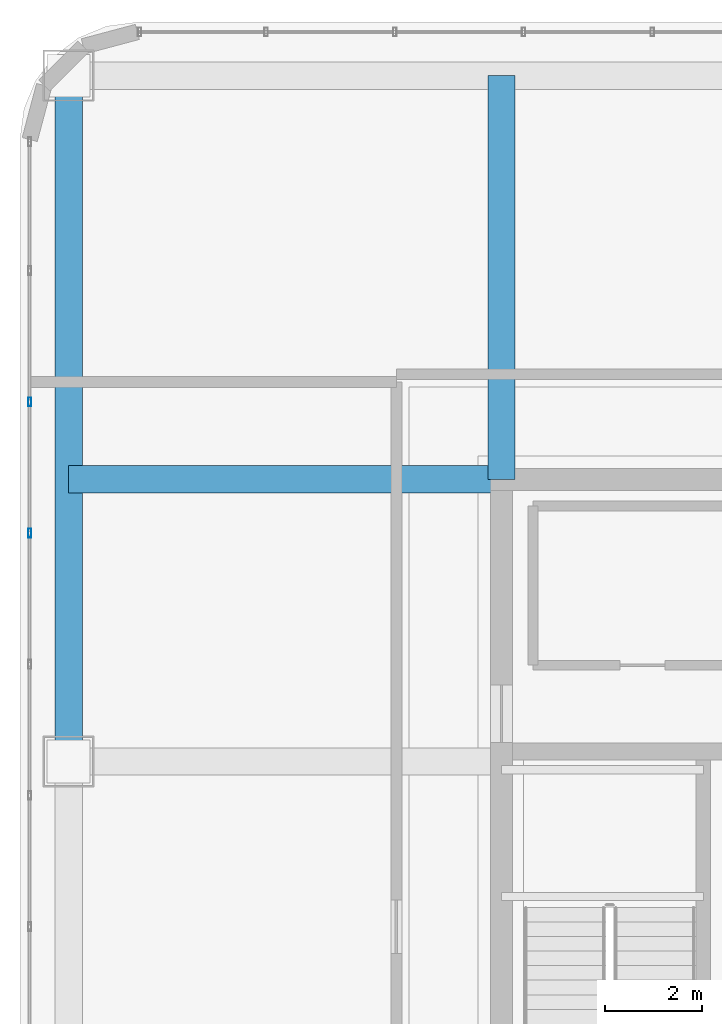
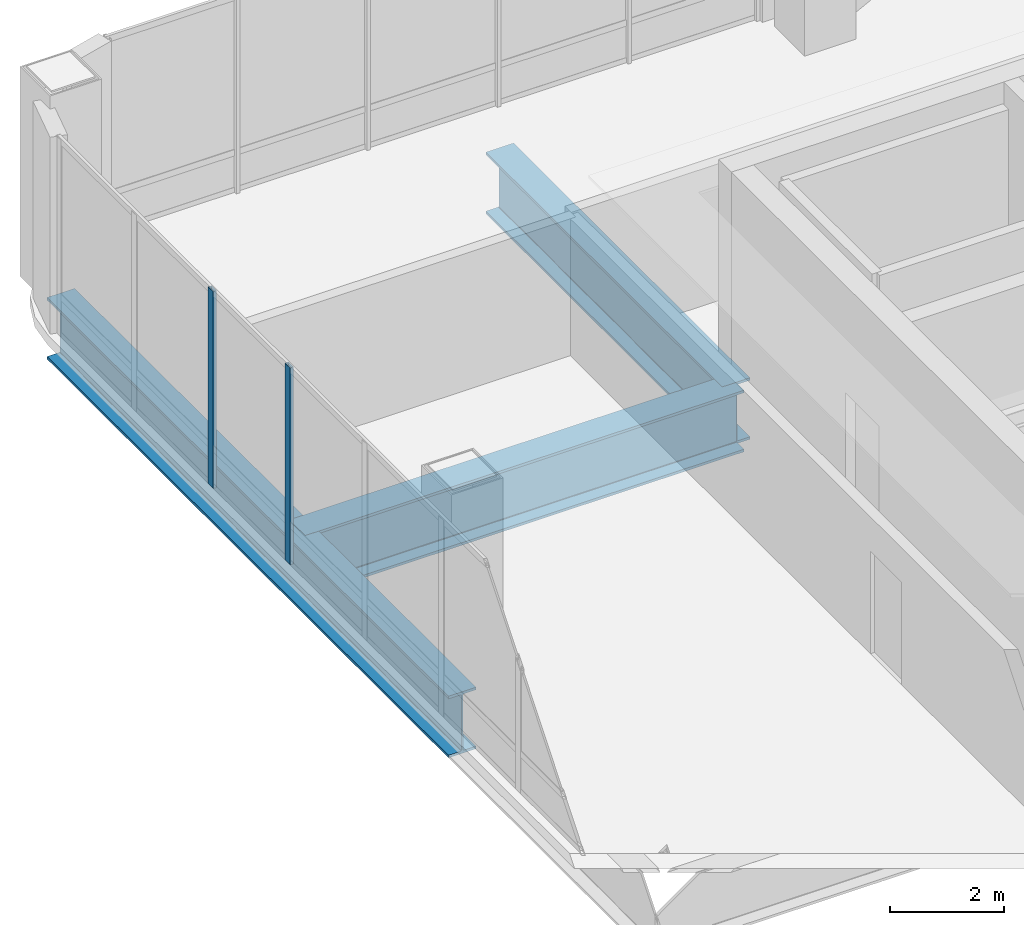
# One storey, part 12 of 33: 3 beams, 2 members, 1 element without a shape of its own.
"""IFC4 building model written with IfcOpenShell, lengths in metres."""

from ifc_helpers import new_model, si_unit, direction, frame, origin, origin_2d, place, context, subcontext, project, spatial, hollow_rectangle, i_section, extrude, material, material_profile, profile_set, type_object, element, aggregate, save


model = new_model("IFC4")

# Units and contexts
model_context = context("Model", 3, precision=1e-05, world=origin(), true_north=direction((0.0, 1.0)))
body_context = subcontext(model_context, "Body", "Model", "MODEL_VIEW")
ifc_project = project(units=[si_unit("LENGTHUNIT", "METRE"), si_unit("AREAUNIT", "SQUARE_METRE"), si_unit("VOLUMEUNIT", "CUBIC_METRE"), si_unit("PLANEANGLEUNIT", "RADIAN"), si_unit("MASSUNIT", "GRAM", prefix="KILO")], contexts=[model_context])

# Site, building, storey
site_placement = place(None, origin())
site = spatial("IfcSite", under=ifc_project, at=site_placement, CompositionType="ELEMENT")
building_placement = place(site_placement, origin())
building = spatial("IfcBuilding", under=site, at=building_placement, Name="Punatoya Terracotta Tower", CompositionType="ELEMENT")
storey_placement = place(building_placement, frame((0.0, 0.0, 348.300048828125)))
storey = spatial("IfcBuildingStorey", under=building, at=storey_placement, Name="L82", CompositionType="ELEMENT", Elevation=348.300048828125)

# Beams
ifc_material_1 = material(Name="Steel S460", Category="steel")
ifc_material_profile_1 = material_profile(ifc_material_1, i_section(OverallWidth=0.56005859375, OverallDepth=1.320068359375, WebThickness=0.035888671875, FlangeThickness=0.054931640625, FilletRadius=0.01806640625, at=origin_2d()))
ifc_profile_set_1 = profile_set([ifc_material_profile_1], Name="Steel S460")
beam_type = type_object("IfcBeamType", Name="BM-TG-BLK", PredefinedType="BEAM", material=ifc_profile_set_1)
beam_1_placement = place(storey_placement, frame((-19.10009765625, 3.39990234375, -0.880126953125), z_axis=(0.0, 1.0, 0.0), x_axis=(-1.0, 0.0, 0.0)))
element("IfcBeam", 1, at=beam_1_placement, inside=storey, type_object=beam_type, Name="BM-L82-RG-W3", PredefinedType="BEAM", context=body_context, shape_type="SweptSolid", body=[
    extrude(i_section(OverallWidth=0.56005859375, OverallDepth=1.320068359375, WebThickness=0.035888671875, FlangeThickness=0.054931640625, FilletRadius=0.01806640625, at=origin_2d()), origin(), (0.0, 0.0, 1.0), 14.10009765625),
])
beam_2_placement = place(storey_placement, frame((-19.10009765625, 9.199951171875, -0.880126953125), z_axis=(1.0, 0.0, 0.0), x_axis=(0.0, 1.0, 0.0)))
element("IfcBeam", 2, at=beam_2_placement, inside=storey, type_object=beam_type, Name="BM-L82-PR-WN", PredefinedType="BEAM", context=body_context, shape_type="SweptSolid", body=[
    extrude(i_section(OverallWidth=0.56005859375, OverallDepth=1.320068359375, WebThickness=0.035888671875, FlangeThickness=0.054931640625, FilletRadius=0.01806640625, at=origin_2d()), origin(), (0.0, 0.0, 1.0), 8.900146484375),
])
beam_3_placement = place(storey_placement, frame((-10.199951171875, 9.199951171875, -0.880126953125), z_axis=(0.0, 1.0, 0.0), x_axis=(-1.0, 0.0, 0.0)))
element("IfcBeam", 3, at=beam_3_placement, inside=storey, type_object=beam_type, Name="BM-L82-PR-N1", PredefinedType="BEAM", context=body_context, shape_type="SweptSolid", body=[
    extrude(i_section(OverallWidth=0.56005859375, OverallDepth=1.320068359375, WebThickness=0.035888671875, FlangeThickness=0.054931640625, FilletRadius=0.01806640625, at=origin_2d()), origin(), (0.0, 0.0, 1.0), 8.300048828125),
])

# Curtain wall, members
ifc_material_2 = material(Name="Aluminium 6063-T6 + Double Low-E Glass", Category="aluminium")
curtain_wall_type = type_object("IfcCurtainWallType", Name="CW-CRN", PredefinedType="NOTDEFINED", material=ifc_material_2)
curtain_wall_placement = place(storey_placement, origin())
curtain_wall = element("IfcCurtainWall", 4, at=curtain_wall_placement, inside=storey, type_object=curtain_wall_type, Name="L82 Curtain Wall CW-L82-W13-1", PredefinedType="NOTDEFINED")
ifc_material_3 = material(Name="Aluminium 6063-T6", Category="aluminium")
ifc_material_profile_2 = material_profile(ifc_material_3, hollow_rectangle(XDim=0.070068359375, YDim=0.179931640625, WallThickness=0.00390625, at=origin_2d()))
ifc_profile_set_2 = profile_set([ifc_material_profile_2], Name="Aluminium 6063-T6")
member_type = type_object("IfcMemberType", Name="CW-MUL-M3", PredefinedType="MULLION", material=ifc_profile_set_2)
member_1_placement = place(storey_placement, frame((-19.89990234375, 10.791259765625, 0.0), z_axis=(0.0, 0.0, 1.0), x_axis=(1.0, 0.0, 0.0)))
member_1 = element("IfcMember", 5, at=member_1_placement, type_object=member_type, Name="CW-L82-W13-1 Mullion 02", PredefinedType="MULLION", context=body_context, shape_type="SweptSolid", body=[
    extrude(hollow_rectangle(XDim=0.070068359375, YDim=0.179931640625, WallThickness=0.00390625, at=origin_2d()), origin(), (0.0, 0.0, 1.0), 4.219970703125),
])
member_2_placement = place(storey_placement, frame((-19.89990234375, 8.093505859375, 0.0), z_axis=(0.0, 0.0, 1.0), x_axis=(1.0, 0.0, 0.0)))
member_2 = element("IfcMember", 6, at=member_2_placement, type_object=member_type, Name="CW-L82-W13-1 Mullion 03", PredefinedType="MULLION", context=body_context, shape_type="SweptSolid", body=[
    extrude(hollow_rectangle(XDim=0.070068359375, YDim=0.179931640625, WallThickness=0.00390625, at=origin_2d()), origin(), (0.0, 0.0, 1.0), 4.219970703125),
])
aggregate(curtain_wall, [member_1, member_2])

save(model, "model.ifc")
